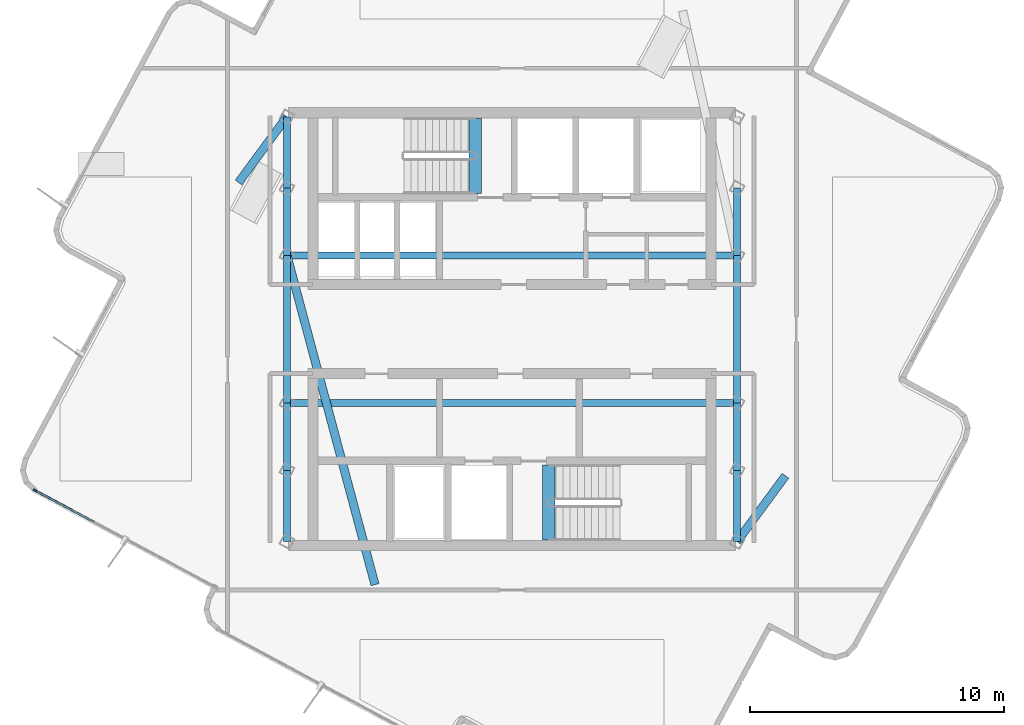
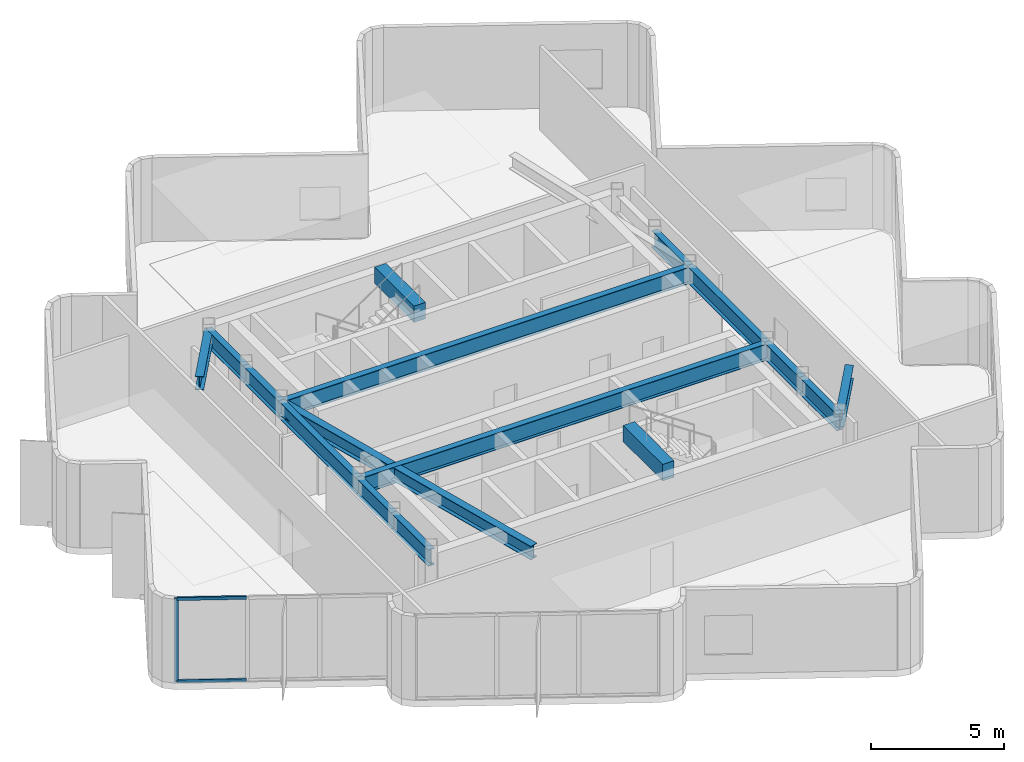
# One storey, part 2 of 9: 16 beams, 3 members, 1 element without a shape of its own.
"""IFC4 building model written with IfcOpenShell, lengths in metres."""

import ifcopenshell
import ifcopenshell.guid

model = None  # the IFC model being written
_history = None  # IfcOwnerHistory: only IFC2X3 demands one
_inside = {}  # id of a spatial element -> (the spatial element, [elements in it])
_under = {}  # id of a project, library or spatial element -> (it, [spatial elements below it])
_declared = {}  # id of a project -> (the project, [libraries it declares])
_typed = {}  # id of a type object -> (the type object, [elements of that type])
_made_of = {}  # id of a material, layer set ... -> (it, [elements and type objects made of it])


def new_model(schema):
    """Start an empty IFC model of exactly this schema.

    Asked for "IFC4X3", IfcOpenShell would pick the latest addendum, in which some entities
    have other attributes; the version numbers below select the first issue.
    IFC2X3 requires an IfcOwnerHistory on every rooted entity: one is made here for all.
    """
    global model, _history
    if schema == "IFC4X3":
        model = ifcopenshell.file(schema_version=(4, 3, 0, 0))
    else:
        model = ifcopenshell.file(schema=schema)
    _inside.clear()
    _under.clear()
    _declared.clear()
    _typed.clear()
    _made_of.clear()
    _history = None
    if model.schema == "IFC2X3":
        org = make("IfcOrganization", Name="unknown")
        user = make(
            "IfcPersonAndOrganization",
            ThePerson=make("IfcPerson", FamilyName="unknown"),
            TheOrganization=org,
        )
        app = make(
            "IfcApplication",
            ApplicationDeveloper=org,
            Version="unknown",
            ApplicationFullName="unknown",
            ApplicationIdentifier="unknown",
        )
        _history = make(
            "IfcOwnerHistory",
            OwningUser=user,
            OwningApplication=app,
            ChangeAction="ADDED",
            CreationDate=0,
        )
    return model


def make(cls, **values):
    """One entity of the class cls with the attributes given. An attribute that is None is left unset."""
    return model.create_entity(
        cls, **{name: value for name, value in values.items() if value is not None}
    )


def rooted(cls, **values):
    """An entity with a GlobalId (a new one), such as an element, a storey or a relation."""
    return make(cls, GlobalId=ifcopenshell.guid.new(), OwnerHistory=_history, **values)


def si_unit(unit_type, name, prefix=None):
    """IfcSIUnit, for example si_unit("LENGTHUNIT", "METRE", prefix="MILLI")."""
    return make("IfcSIUnit", UnitType=unit_type, Prefix=prefix, Name=name)


def assignment(units):
    """IfcUnitAssignment: the units of a project."""
    return None if units is None else make("IfcUnitAssignment", Units=units)


def point(xyz):
    """IfcCartesianPoint."""
    return None if xyz is None else make("IfcCartesianPoint", Coordinates=xyz)


def direction(xyz):
    """IfcDirection."""
    return None if xyz is None else make("IfcDirection", DirectionRatios=xyz)


def frame(location, z_axis=None, x_axis=None):
    """IfcAxis2Placement3D, a coordinate frame: its origin and axes. An axis left out is left unset."""
    return make(
        "IfcAxis2Placement3D",
        Location=point(location),
        Axis=direction(z_axis),
        RefDirection=direction(x_axis),
    )


def frame_2d(location, x_axis=None):
    """IfcAxis2Placement2D, a coordinate frame in the plane: its origin and x axis."""
    return make(
        "IfcAxis2Placement2D", Location=point(location), RefDirection=direction(x_axis)
    )


def origin():
    """The frame at (0, 0, 0) with its axes left unset."""
    return frame((0.0, 0.0, 0.0))


def origin_2d():
    """The frame at (0, 0) in the plane with its x axis left unset."""
    return frame_2d((0.0, 0.0))


def place(relative_to, where):
    """IfcLocalPlacement: puts the frame where relative to a parent placement (None: the world)."""
    return make(
        "IfcLocalPlacement", PlacementRelTo=relative_to, RelativePlacement=where
    )


def context(
    kind, dimensions, precision=None, world=None, true_north=None, identifier=None
):
    """IfcGeometricRepresentationContext, for example the 3D "Model" context."""
    return make(
        "IfcGeometricRepresentationContext",
        ContextIdentifier=identifier,
        ContextType=kind,
        CoordinateSpaceDimension=dimensions,
        Precision=precision,
        WorldCoordinateSystem=world,
        TrueNorth=true_north,
    )


def subcontext(parent, identifier, kind, view, scale=None):
    """IfcGeometricRepresentationSubContext, for example "Body" below "Model"."""
    return make(
        "IfcGeometricRepresentationSubContext",
        ContextIdentifier=identifier,
        ContextType=kind,
        ParentContext=parent,
        TargetScale=scale,
        TargetView=view,
    )


def project(units=None, contexts=None):
    """IfcProject with its units and contexts."""
    return rooted(
        "IfcProject",
        Name="project",
        RepresentationContexts=contexts,
        UnitsInContext=assignment(units),
    )


def spatial(cls, under=None, at=None, **own):
    """A site, building, storey or space (cls), placed at a placement, below another one or the project."""
    s = rooted(cls, ObjectPlacement=at, **own)
    if under is not None:
        _under.setdefault(under.id(), (under, []))[1].append(s)
    return s


def profile(cls, at=None, kind="AREA", **sizes):
    """A parametric profile (cls). Its sizes go by their IFC names, for example OverallWidth=200.0."""
    return make(cls, ProfileType=kind, Position=at, **sizes)


def rectangle(**sizes):
    """IfcRectangleProfileDef."""
    return profile("IfcRectangleProfileDef", **sizes)


def i_section(**sizes):
    """IfcIShapeProfileDef."""
    return profile("IfcIShapeProfileDef", **sizes)


def extrude(swept, where, along, depth):
    """IfcExtrudedAreaSolid: the profile swept, set in the frame where, extruded along a direction by depth."""
    return make(
        "IfcExtrudedAreaSolid",
        SweptArea=swept,
        Position=where,
        ExtrudedDirection=direction(along),
        Depth=depth,
    )


def shape(context_of_items, identifier, shape_type, items):
    """IfcShapeRepresentation: the items that make up one representation, for example the "Body"."""
    return make(
        "IfcShapeRepresentation",
        ContextOfItems=context_of_items,
        RepresentationIdentifier=identifier,
        RepresentationType=shape_type,
        Items=items,
    )


def material(Name=None, Category=None):
    """IfcMaterial."""
    return make("IfcMaterial", Name=Name, Category=Category)


def layer(
    of_material, thickness, ventilated=None, Name=None, Category=None, Priority=None
):
    """IfcMaterialLayer: one layer of a wall or slab, of a material (None: an air gap)."""
    return make(
        "IfcMaterialLayer",
        Material=of_material,
        LayerThickness=thickness,
        IsVentilated=ventilated,
        Name=Name,
        Category=Category,
        Priority=Priority,
    )


def layer_set(layers, Name=None):
    """IfcMaterialLayerSet."""
    return make("IfcMaterialLayerSet", MaterialLayers=layers, LayerSetName=Name)


def material_profile(
    of_material, cross_section, Name=None, Category=None, Priority=None
):
    """IfcMaterialProfile: a cross section and its material."""
    return make(
        "IfcMaterialProfile",
        Name=Name,
        Material=of_material,
        Profile=cross_section,
        Priority=Priority,
        Category=Category,
    )


def profile_set(profiles, Name=None, composite=None):
    """IfcMaterialProfileSet."""
    return make(
        "IfcMaterialProfileSet",
        Name=Name,
        MaterialProfiles=profiles,
        CompositeProfile=composite,
    )


def made_of(thing, what):
    """Note that an element or type object is made of a material, layer set ...; save() writes the relation."""
    if what is not None:
        _made_of.setdefault(what.id(), (what, []))[1].append(thing)
    return thing


def type_object(cls, material=None, **own):
    """A type object (cls), such as IfcWallType, which elements share."""
    return made_of(rooted(cls, **own), material)


def element(
    cls,
    number,
    at=None,
    inside=None,
    cuts=None,
    type_object=None,
    material=None,
    context=None,
    identifier="Body",
    shape_type=None,
    held_by="IfcProductDefinitionShape",
    body=None,
    shapes=None,
    **own,
):
    """One element of the class cls, such as IfcWall. Its Tag is "e" and its number.

    at: its placement. inside: the storey or other place that contains it. cuts: it is an
    opening in that element (IfcRelVoidsElement). A single representation is given by context,
    identifier, shape_type and body (its items); several are given by shapes. held_by: the class
    of the entity that holds the representations. save() writes the other relations.
    """
    e = rooted(cls, Tag="e%d" % number, ObjectPlacement=at, **own)
    if body is not None:
        shapes = [shape(context, identifier, shape_type, body)]
    if shapes is not None:
        e.Representation = make(held_by, Representations=shapes)
    if inside is not None:
        _inside.setdefault(inside.id(), (inside, []))[1].append(e)
    if cuts is not None:
        rooted(
            "IfcRelVoidsElement", RelatingBuildingElement=cuts, RelatedOpeningElement=e
        )
    if type_object is not None:
        _typed.setdefault(type_object.id(), (type_object, []))[1].append(e)
    return made_of(e, material)


def aggregate(whole, parts):
    """IfcRelAggregates: a whole, such as a stair, and the parts it consists of."""
    return rooted("IfcRelAggregates", RelatingObject=whole, RelatedObjects=parts)


def save(model, path):
    """Write the relations noted so far, then the file.

    IfcRelAggregates (storeys below a building ...), IfcRelContainedInSpatialStructure (elements
    in a storey), IfcRelDefinesByType, IfcRelAssociatesMaterial and IfcRelDeclares: one each for
    every whole, place, type object, material and project.
    """
    for whole, parts in _under.values():
        aggregate(whole, parts)
    for where, things in _inside.values():
        rooted(
            "IfcRelContainedInSpatialStructure",
            RelatedElements=things,
            RelatingStructure=where,
        )
    for kind, things in _typed.values():
        rooted("IfcRelDefinesByType", RelatedObjects=things, RelatingType=kind)
    for what, things in _made_of.values():
        rooted("IfcRelAssociatesMaterial", RelatedObjects=things, RelatingMaterial=what)
    for by, libraries in _declared.values():
        rooted("IfcRelDeclares", RelatingContext=by, RelatedDefinitions=libraries)
    model.write(path)


model = new_model("IFC4")

# Units and contexts
model_context = context("Model", 3, precision=1e-05, world=origin(), true_north=direction((0.0, 1.0)))
body_context = subcontext(model_context, "Body", "Model", "MODEL_VIEW")
ifc_project = project(units=[si_unit("LENGTHUNIT", "METRE"), si_unit("AREAUNIT", "SQUARE_METRE"), si_unit("VOLUMEUNIT", "CUBIC_METRE"), si_unit("PLANEANGLEUNIT", "RADIAN"), si_unit("MASSUNIT", "GRAM", prefix="KILO")], contexts=[model_context])

# Site, building, storey
site_placement = place(None, origin())
site = spatial("IfcSite", under=ifc_project, at=site_placement, CompositionType="ELEMENT")
building_placement = place(site_placement, origin())
building = spatial("IfcBuilding", under=site, at=building_placement, Name="Solmarez Civic Tower", CompositionType="ELEMENT")
storey_placement = place(building_placement, frame((0.0, 0.0, 285.1201171875)))
storey = spatial("IfcBuildingStorey", under=building, at=storey_placement, Name="L77 Crown", CompositionType="ELEMENT", Elevation=285.1201171875)

# Beams
ifc_material_1 = material(Name="Concrete C50/60", Category="concrete")
ifc_material_profile_1 = material_profile(ifc_material_1, rectangle(XDim=0.5, YDim=0.75, at=origin_2d()), Name="RC500X750")
ifc_profile_set_1 = profile_set([ifc_material_profile_1], Name="Concrete C50/60")
beam_type_1 = type_object("IfcBeamType", Name="BM-PR-RC500X750", PredefinedType="BEAM", material=ifc_profile_set_1)
for number, where, z_axis, x_axis, name in (
    (1, (-1.449951171875, 5.340087890625, 3.77294921875), (0.0, 1.0, 0.0), (-1.0, 0.0, 0.0), "L77 Crown North Stair Threshold Beam"),
    (2, (1.449951171875, -8.300048828125, 3.77294921875), (0.0, 1.0, 0.0), (-1.0, 0.0, 0.0), "L77 Crown South Stair Threshold Beam"),
):
    element("IfcBeam", number, at=place(storey_placement, frame(where, z_axis=z_axis, x_axis=x_axis)), inside=storey, type_object=beam_type_1, Name=name, PredefinedType="BEAM", context=body_context, shape_type="SweptSolid", body=[
        extrude(rectangle(XDim=0.5, YDim=0.75, at=origin_2d()), origin(), (0.0, 0.0, 1.0), 2.9599609375),
    ])
ifc_material_2 = material(Name="Steel S355", Category="steel")
ifc_material_profile_2 = material_profile(ifc_material_2, i_section(OverallWidth=0.327880859375, OverallDepth=0.6220703125, WebThickness=0.015380859375, FlangeThickness=0.0244140625, at=origin_2d()), Name="W24X131")
ifc_profile_set_2 = profile_set([ifc_material_profile_2], Name="Steel S355")
beam_type_2 = type_object("IfcBeamType", Name="BM-PR-W24X131", PredefinedType="BEAM", material=ifc_profile_set_2)
beam_1_placement = place(storey_placement, frame((-8.85009765625, 8.35009765625, 3.52880859375), z_axis=(-0.592586481224, -0.805506835645, 0.0), x_axis=(0.805506835645, -0.592586481224, 0.0)))
element("IfcBeam", 3, at=beam_1_placement, inside=storey, type_object=beam_type_2, Name="L77 Crown Primary Floor Beam BM-L77 Crown-CR-N2", PredefinedType="BEAM", context=body_context, shape_type="SweptSolid", body=[
    extrude(i_section(OverallWidth=0.327880859375, OverallDepth=0.6220703125, WebThickness=0.015380859375, FlangeThickness=0.0244140625, at=origin_2d()), origin(), (0.0, 0.0, 1.0), 3.20947265625),
])
beam_2_placement = place(storey_placement, frame((-8.85009765625, 2.89990234375, 3.52880859375), z_axis=(0.258400682717, -0.966037829058, 0.0), x_axis=(0.966037829058, 0.258400682717, 0.0)))
element("IfcBeam", 4, at=beam_2_placement, inside=storey, type_object=beam_type_2, Name="L77 Crown Primary Floor Beam BM-L77 Crown-CR-W1", PredefinedType="BEAM", context=body_context, shape_type="SweptSolid", body=[
    extrude(i_section(OverallWidth=0.327880859375, OverallDepth=0.6220703125, WebThickness=0.015380859375, FlangeThickness=0.0244140625, at=origin_2d()), origin(), (0.0, 0.0, 1.0), 13.402099609375),
])
beam_3_placement = place(storey_placement, frame((8.85009765625, -8.35009765625, 3.52880859375), z_axis=(0.592586481224, 0.805506835645, 0.0), x_axis=(-0.805506835645, 0.592586481224, 0.0)))
element("IfcBeam", 5, at=beam_3_placement, inside=storey, type_object=beam_type_2, Name="L77 Crown Primary Floor Beam BM-L77 Crown-CR-S2", PredefinedType="BEAM", context=body_context, shape_type="SweptSolid", body=[
    extrude(i_section(OverallWidth=0.327880859375, OverallDepth=0.6220703125, WebThickness=0.015380859375, FlangeThickness=0.0244140625, at=origin_2d()), origin(), (0.0, 0.0, 1.0), 3.20947265625),
])
ifc_material_profile_3 = material_profile(ifc_material_2, i_section(OverallWidth=0.26708984375, OverallDepth=0.761962890625, WebThickness=0.014404296875, FlangeThickness=0.021484375, at=origin_2d()), Name="W30X116")
ifc_profile_set_3 = profile_set([ifc_material_profile_3], Name="Steel S355")
beam_type_3 = type_object("IfcBeamType", Name="BM-PR-W30X116", PredefinedType="BEAM", material=ifc_profile_set_3)
beam_4_placement = place(storey_placement, frame((-8.85009765625, -8.35009765625, 3.458984375), z_axis=(0.0, 1.0, 0.0), x_axis=(-1.0, 0.0, 0.0)))
element("IfcBeam", 6, at=beam_4_placement, inside=storey, type_object=beam_type_3, Name="L77 Crown Primary Floor Beam BM-L77 Crown-HC12-HC1", PredefinedType="BEAM", context=body_context, shape_type="SweptSolid", body=[
    extrude(i_section(OverallWidth=0.26708984375, OverallDepth=0.761962890625, WebThickness=0.014404296875, FlangeThickness=0.021484375, at=origin_2d()), origin(), (0.0, 0.0, 1.0), 2.800048828125),
])
beam_5_placement = place(storey_placement, frame((-8.85009765625, -5.550048828125, 3.458984375), z_axis=(0.0, 1.0, 0.0), x_axis=(-1.0, 0.0, 0.0)))
element("IfcBeam", 7, at=beam_5_placement, inside=storey, type_object=beam_type_3, Name="L77 Crown Primary Floor Beam BM-L77 Crown-HC1-HC2", PredefinedType="BEAM", context=body_context, shape_type="SweptSolid", body=[
    extrude(i_section(OverallWidth=0.26708984375, OverallDepth=0.761962890625, WebThickness=0.014404296875, FlangeThickness=0.021484375, at=origin_2d()), origin(), (0.0, 0.0, 1.0), 2.650146484375),
])
beam_6_placement = place(storey_placement, frame((-8.85009765625, -2.89990234375, 3.458984375), z_axis=(0.0, 1.0, 0.0), x_axis=(-1.0, 0.0, 0.0)))
element("IfcBeam", 8, at=beam_6_placement, inside=storey, type_object=beam_type_3, Name="L77 Crown Primary Floor Beam BM-L77 Crown-HC2-HC3", PredefinedType="BEAM", context=body_context, shape_type="SweptSolid", body=[
    extrude(i_section(OverallWidth=0.26708984375, OverallDepth=0.761962890625, WebThickness=0.014404296875, FlangeThickness=0.021484375, at=origin_2d()), origin(), (0.0, 0.0, 1.0), 5.7998046875),
])
beam_7_placement = place(storey_placement, frame((-8.85009765625, 2.89990234375, 3.458984375), z_axis=(0.0, 1.0, 0.0), x_axis=(-1.0, 0.0, 0.0)))
element("IfcBeam", 9, at=beam_7_placement, inside=storey, type_object=beam_type_3, Name="L77 Crown Primary Floor Beam BM-L77 Crown-HC3-HC4", PredefinedType="BEAM", context=body_context, shape_type="SweptSolid", body=[
    extrude(i_section(OverallWidth=0.26708984375, OverallDepth=0.761962890625, WebThickness=0.014404296875, FlangeThickness=0.021484375, at=origin_2d()), origin(), (0.0, 0.0, 1.0), 2.650146484375),
])
for number, where, z_axis, x_axis, name in (
    (10, (-8.85009765625, 5.550048828125, 3.458984375), (0.0, 1.0, 0.0), (-1.0, 0.0, 0.0), "L77 Crown Primary Floor Beam BM-L77 Crown-HC4-HC9"),
    (11, (8.85009765625, -8.35009765625, 3.458984375), (0.0, 1.0, 0.0), (-1.0, 0.0, 0.0), "L77 Crown Primary Floor Beam BM-L77 Crown-HC10-HC5"),
):
    element("IfcBeam", number, at=place(storey_placement, frame(where, z_axis=z_axis, x_axis=x_axis)), inside=storey, type_object=beam_type_3, Name=name, PredefinedType="BEAM", context=body_context, shape_type="SweptSolid", body=[
        extrude(i_section(OverallWidth=0.26708984375, OverallDepth=0.761962890625, WebThickness=0.014404296875, FlangeThickness=0.021484375, at=origin_2d()), origin(), (0.0, 0.0, 1.0), 2.800048828125),
    ])
beam_8_placement = place(storey_placement, frame((8.85009765625, -5.550048828125, 3.458984375), z_axis=(0.0, 1.0, 0.0), x_axis=(-1.0, 0.0, 0.0)))
element("IfcBeam", 12, at=beam_8_placement, inside=storey, type_object=beam_type_3, Name="L77 Crown Primary Floor Beam BM-L77 Crown-HC5-HC6", PredefinedType="BEAM", context=body_context, shape_type="SweptSolid", body=[
    extrude(i_section(OverallWidth=0.26708984375, OverallDepth=0.761962890625, WebThickness=0.014404296875, FlangeThickness=0.021484375, at=origin_2d()), origin(), (0.0, 0.0, 1.0), 2.650146484375),
])
beam_9_placement = place(storey_placement, frame((8.85009765625, -2.89990234375, 3.458984375), z_axis=(0.0, 1.0, 0.0), x_axis=(-1.0, 0.0, 0.0)))
element("IfcBeam", 13, at=beam_9_placement, inside=storey, type_object=beam_type_3, Name="L77 Crown Primary Floor Beam BM-L77 Crown-HC6-HC7", PredefinedType="BEAM", context=body_context, shape_type="SweptSolid", body=[
    extrude(i_section(OverallWidth=0.26708984375, OverallDepth=0.761962890625, WebThickness=0.014404296875, FlangeThickness=0.021484375, at=origin_2d()), origin(), (0.0, 0.0, 1.0), 5.7998046875),
])
beam_10_placement = place(storey_placement, frame((8.85009765625, 2.89990234375, 3.458984375), z_axis=(0.0, 1.0, 0.0), x_axis=(-1.0, 0.0, 0.0)))
element("IfcBeam", 14, at=beam_10_placement, inside=storey, type_object=beam_type_3, Name="L77 Crown Primary Floor Beam BM-L77 Crown-HC7-HC8", PredefinedType="BEAM", context=body_context, shape_type="SweptSolid", body=[
    extrude(i_section(OverallWidth=0.26708984375, OverallDepth=0.761962890625, WebThickness=0.014404296875, FlangeThickness=0.021484375, at=origin_2d()), origin(), (0.0, 0.0, 1.0), 2.650146484375),
])
for number, where, z_axis, x_axis, name in (
    (15, (-8.85009765625, -2.89990234375, 3.458984375), (1.0, 0.0, 0.0), (0.0, 1.0, 0.0), "L77 Crown Primary Floor Beam BM-L77 Crown-HC2-HC6"),
    (16, (-8.85009765625, 2.89990234375, 3.458984375), (1.0, 0.0, 0.0), (0.0, 1.0, 0.0), "L77 Crown Primary Floor Beam BM-L77 Crown-HC3-HC7"),
):
    element("IfcBeam", number, at=place(storey_placement, frame(where, z_axis=z_axis, x_axis=x_axis)), inside=storey, type_object=beam_type_3, Name=name, PredefinedType="BEAM", context=body_context, shape_type="SweptSolid", body=[
        extrude(i_section(OverallWidth=0.26708984375, OverallDepth=0.761962890625, WebThickness=0.014404296875, FlangeThickness=0.021484375, at=origin_2d()), origin(), (0.0, 0.0, 1.0), 17.7001953125),
    ])

# Curtain wall, members
ifc_material_3 = material(Name="Bronze Anodised Aluminium EN AW-6063 T6", Category="aluminium")
ifc_layer = layer(ifc_material_3, 0.195068359375)
ifc_layer_set = layer_set([ifc_layer], Name="Bronze Anodised Aluminium EN AW-6063 T6")
curtain_wall_type = type_object("IfcCurtainWallType", Name="CW-SYS-7", PredefinedType="NOTDEFINED", material=ifc_layer_set)
curtain_wall_placement = place(storey_placement, origin())
curtain_wall = element("IfcCurtainWall", 17, at=curtain_wall_placement, inside=storey, type_object=curtain_wall_type, Name="L77 Crown Stick-Built Curtain Wall 2", PredefinedType="NOTDEFINED")
ifc_material_profile_4 = material_profile(ifc_material_3, rectangle(XDim=0.06494140625, YDim=0.1650390625, at=origin_2d()), Name="CWM-65X165")
ifc_profile_set_4 = profile_set([ifc_material_profile_4], Name="Bronze Anodised Aluminium EN AW-6063 T6")
member_type_1 = type_object("IfcMemberType", Name="CWM-TYPE-3", PredefinedType="MULLION", material=ifc_profile_set_4)
member_1_placement = place(storey_placement, frame((-18.75146484375, -6.34130859375, 0.0), z_axis=(0.0, 0.0, 1.0), x_axis=(-0.472494197828, -0.881333780709, 0.0)))
member_1 = element("IfcMember", 18, at=member_1_placement, type_object=member_type_1, Name="CWS7 mullion 4", PredefinedType="MULLION", context=body_context, shape_type="SweptSolid", body=[
    extrude(rectangle(XDim=0.06494140625, YDim=0.1650390625, at=origin_2d()), origin(), (0.0, 0.0, 1.0), 3.83984375),
])
ifc_material_profile_5 = material_profile(ifc_material_3, rectangle(XDim=0.070068359375, YDim=0.139892578125, at=origin_2d()), Name="CWT-70X140")
ifc_profile_set_5 = profile_set([ifc_material_profile_5], Name="Bronze Anodised Aluminium EN AW-6063 T6")
member_type_2 = type_object("IfcMemberType", Name="CWT-TYPE-1", PredefinedType="USERDEFINED", material=ifc_profile_set_5)
member_2_placement = place(storey_placement, frame((-16.41796875, -7.59228515625, 0.034912109375), z_axis=(-0.881330029489, 0.472501194835, 0.0), x_axis=(-0.472501194835, -0.881330029489, 0.0)))
member_2 = element("IfcMember", 19, at=member_2_placement, type_object=member_type_2, Name="CWS7 transom 3.1", ObjectType="TRANSOM", PredefinedType="USERDEFINED", context=body_context, shape_type="SweptSolid", body=[
    extrude(rectangle(XDim=0.070068359375, YDim=0.139892578125, at=origin_2d()), origin(), (0.0, 0.0, 1.0), 2.614990234375),
])
member_3_placement = place(storey_placement, frame((-16.41796875, -7.59228515625, 3.804931640625), z_axis=(-0.881330029489, 0.472501194835, 0.0), x_axis=(-0.472501194835, -0.881330029489, 0.0)))
member_3 = element("IfcMember", 20, at=member_3_placement, type_object=member_type_2, Name="CWS7 transom 3.2", ObjectType="TRANSOM", PredefinedType="USERDEFINED", context=body_context, shape_type="SweptSolid", body=[
    extrude(rectangle(XDim=0.070068359375, YDim=0.139892578125, at=origin_2d()), origin(), (0.0, 0.0, 1.0), 2.614990234375),
])
aggregate(curtain_wall, [member_1, member_2, member_3])

save(model, "model.ifc")
